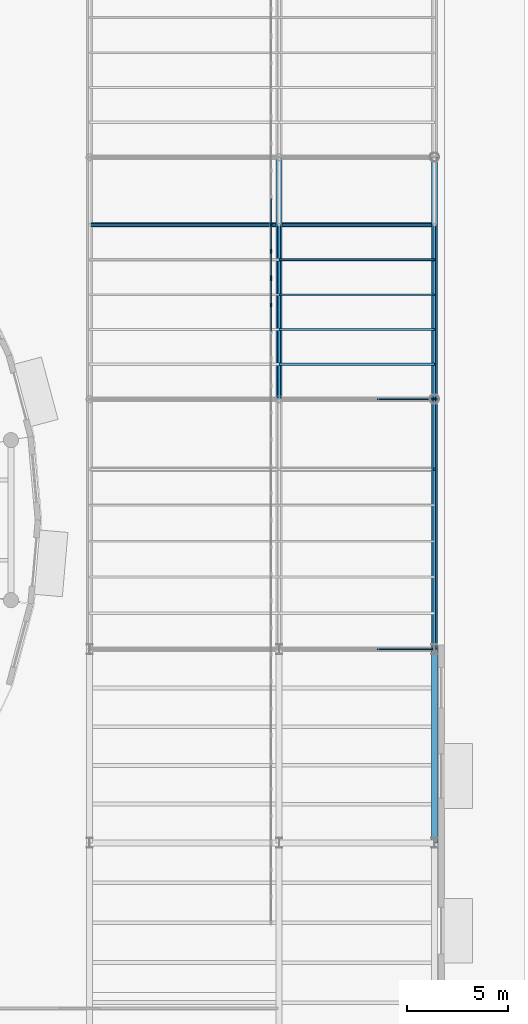
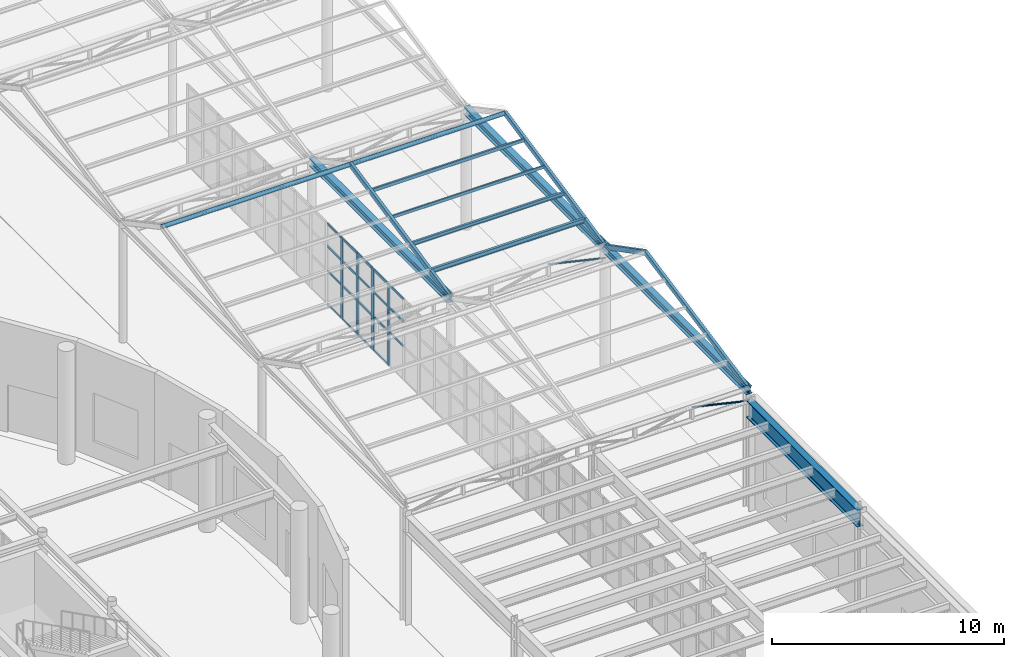
# One storey, part 43 of 118: 35 members, 4 beams, 2 elements without a shape of their own.
"""IFC4 building model written with IfcOpenShell, lengths in metres."""

import ifcopenshell
import ifcopenshell.guid

model = None  # the IFC model being written
_history = None  # IfcOwnerHistory: only IFC2X3 demands one
_inside = {}  # id of a spatial element -> (the spatial element, [elements in it])
_under = {}  # id of a project, library or spatial element -> (it, [spatial elements below it])
_declared = {}  # id of a project -> (the project, [libraries it declares])
_typed = {}  # id of a type object -> (the type object, [elements of that type])
_made_of = {}  # id of a material, layer set ... -> (it, [elements and type objects made of it])


def new_model(schema):
    """Start an empty IFC model of exactly this schema.

    Asked for "IFC4X3", IfcOpenShell would pick the latest addendum, in which some entities
    have other attributes; the version numbers below select the first issue.
    IFC2X3 requires an IfcOwnerHistory on every rooted entity: one is made here for all.
    """
    global model, _history
    if schema == "IFC4X3":
        model = ifcopenshell.file(schema_version=(4, 3, 0, 0))
    else:
        model = ifcopenshell.file(schema=schema)
    _inside.clear()
    _under.clear()
    _declared.clear()
    _typed.clear()
    _made_of.clear()
    _history = None
    if model.schema == "IFC2X3":
        org = make("IfcOrganization", Name="unknown")
        user = make(
            "IfcPersonAndOrganization",
            ThePerson=make("IfcPerson", FamilyName="unknown"),
            TheOrganization=org,
        )
        app = make(
            "IfcApplication",
            ApplicationDeveloper=org,
            Version="unknown",
            ApplicationFullName="unknown",
            ApplicationIdentifier="unknown",
        )
        _history = make(
            "IfcOwnerHistory",
            OwningUser=user,
            OwningApplication=app,
            ChangeAction="ADDED",
            CreationDate=0,
        )
    return model


def make(cls, **values):
    """One entity of the class cls with the attributes given. An attribute that is None is left unset."""
    return model.create_entity(
        cls, **{name: value for name, value in values.items() if value is not None}
    )


def rooted(cls, **values):
    """An entity with a GlobalId (a new one), such as an element, a storey or a relation."""
    return make(cls, GlobalId=ifcopenshell.guid.new(), OwnerHistory=_history, **values)


def si_unit(unit_type, name, prefix=None):
    """IfcSIUnit, for example si_unit("LENGTHUNIT", "METRE", prefix="MILLI")."""
    return make("IfcSIUnit", UnitType=unit_type, Prefix=prefix, Name=name)


def assignment(units):
    """IfcUnitAssignment: the units of a project."""
    return None if units is None else make("IfcUnitAssignment", Units=units)


def point(xyz):
    """IfcCartesianPoint."""
    return None if xyz is None else make("IfcCartesianPoint", Coordinates=xyz)


def direction(xyz):
    """IfcDirection."""
    return None if xyz is None else make("IfcDirection", DirectionRatios=xyz)


def frame(location, z_axis=None, x_axis=None):
    """IfcAxis2Placement3D, a coordinate frame: its origin and axes. An axis left out is left unset."""
    return make(
        "IfcAxis2Placement3D",
        Location=point(location),
        Axis=direction(z_axis),
        RefDirection=direction(x_axis),
    )


def frame_2d(location, x_axis=None):
    """IfcAxis2Placement2D, a coordinate frame in the plane: its origin and x axis."""
    return make(
        "IfcAxis2Placement2D", Location=point(location), RefDirection=direction(x_axis)
    )


def origin():
    """The frame at (0, 0, 0) with its axes left unset."""
    return frame((0.0, 0.0, 0.0))


def origin_2d():
    """The frame at (0, 0) in the plane with its x axis left unset."""
    return frame_2d((0.0, 0.0))


def place(relative_to, where):
    """IfcLocalPlacement: puts the frame where relative to a parent placement (None: the world)."""
    return make(
        "IfcLocalPlacement", PlacementRelTo=relative_to, RelativePlacement=where
    )


def context(
    kind, dimensions, precision=None, world=None, true_north=None, identifier=None
):
    """IfcGeometricRepresentationContext, for example the 3D "Model" context."""
    return make(
        "IfcGeometricRepresentationContext",
        ContextIdentifier=identifier,
        ContextType=kind,
        CoordinateSpaceDimension=dimensions,
        Precision=precision,
        WorldCoordinateSystem=world,
        TrueNorth=true_north,
    )


def subcontext(parent, identifier, kind, view, scale=None):
    """IfcGeometricRepresentationSubContext, for example "Body" below "Model"."""
    return make(
        "IfcGeometricRepresentationSubContext",
        ContextIdentifier=identifier,
        ContextType=kind,
        ParentContext=parent,
        TargetScale=scale,
        TargetView=view,
    )


def project(units=None, contexts=None):
    """IfcProject with its units and contexts."""
    return rooted(
        "IfcProject",
        Name="project",
        RepresentationContexts=contexts,
        UnitsInContext=assignment(units),
    )


def spatial(cls, under=None, at=None, **own):
    """A site, building, storey or space (cls), placed at a placement, below another one or the project."""
    s = rooted(cls, ObjectPlacement=at, **own)
    if under is not None:
        _under.setdefault(under.id(), (under, []))[1].append(s)
    return s


def profile(cls, at=None, kind="AREA", **sizes):
    """A parametric profile (cls). Its sizes go by their IFC names, for example OverallWidth=200.0."""
    return make(cls, ProfileType=kind, Position=at, **sizes)


def rectangle(**sizes):
    """IfcRectangleProfileDef."""
    return profile("IfcRectangleProfileDef", **sizes)


def hollow_rectangle(**sizes):
    """IfcRectangleHollowProfileDef."""
    return profile("IfcRectangleHollowProfileDef", **sizes)


def hollow_circle(**sizes):
    """IfcCircleHollowProfileDef."""
    return profile("IfcCircleHollowProfileDef", **sizes)


def i_section(**sizes):
    """IfcIShapeProfileDef."""
    return profile("IfcIShapeProfileDef", **sizes)


def extrude(swept, where, along, depth):
    """IfcExtrudedAreaSolid: the profile swept, set in the frame where, extruded along a direction by depth."""
    return make(
        "IfcExtrudedAreaSolid",
        SweptArea=swept,
        Position=where,
        ExtrudedDirection=direction(along),
        Depth=depth,
    )


def shape(context_of_items, identifier, shape_type, items):
    """IfcShapeRepresentation: the items that make up one representation, for example the "Body"."""
    return make(
        "IfcShapeRepresentation",
        ContextOfItems=context_of_items,
        RepresentationIdentifier=identifier,
        RepresentationType=shape_type,
        Items=items,
    )


def material(Name=None, Category=None):
    """IfcMaterial."""
    return make("IfcMaterial", Name=Name, Category=Category)


def material_profile(
    of_material, cross_section, Name=None, Category=None, Priority=None
):
    """IfcMaterialProfile: a cross section and its material."""
    return make(
        "IfcMaterialProfile",
        Name=Name,
        Material=of_material,
        Profile=cross_section,
        Priority=Priority,
        Category=Category,
    )


def profile_set(profiles, Name=None, composite=None):
    """IfcMaterialProfileSet."""
    return make(
        "IfcMaterialProfileSet",
        Name=Name,
        MaterialProfiles=profiles,
        CompositeProfile=composite,
    )


def made_of(thing, what):
    """Note that an element or type object is made of a material, layer set ...; save() writes the relation."""
    if what is not None:
        _made_of.setdefault(what.id(), (what, []))[1].append(thing)
    return thing


def type_object(cls, material=None, **own):
    """A type object (cls), such as IfcWallType, which elements share."""
    return made_of(rooted(cls, **own), material)


def element(
    cls,
    number,
    at=None,
    inside=None,
    cuts=None,
    type_object=None,
    material=None,
    context=None,
    identifier="Body",
    shape_type=None,
    held_by="IfcProductDefinitionShape",
    body=None,
    shapes=None,
    **own,
):
    """One element of the class cls, such as IfcWall. Its Tag is "e" and its number.

    at: its placement. inside: the storey or other place that contains it. cuts: it is an
    opening in that element (IfcRelVoidsElement). A single representation is given by context,
    identifier, shape_type and body (its items); several are given by shapes. held_by: the class
    of the entity that holds the representations. save() writes the other relations.
    """
    e = rooted(cls, Tag="e%d" % number, ObjectPlacement=at, **own)
    if body is not None:
        shapes = [shape(context, identifier, shape_type, body)]
    if shapes is not None:
        e.Representation = make(held_by, Representations=shapes)
    if inside is not None:
        _inside.setdefault(inside.id(), (inside, []))[1].append(e)
    if cuts is not None:
        rooted(
            "IfcRelVoidsElement", RelatingBuildingElement=cuts, RelatedOpeningElement=e
        )
    if type_object is not None:
        _typed.setdefault(type_object.id(), (type_object, []))[1].append(e)
    return made_of(e, material)


def aggregate(whole, parts):
    """IfcRelAggregates: a whole, such as a stair, and the parts it consists of."""
    return rooted("IfcRelAggregates", RelatingObject=whole, RelatedObjects=parts)


def save(model, path):
    """Write the relations noted so far, then the file.

    IfcRelAggregates (storeys below a building ...), IfcRelContainedInSpatialStructure (elements
    in a storey), IfcRelDefinesByType, IfcRelAssociatesMaterial and IfcRelDeclares: one each for
    every whole, place, type object, material and project.
    """
    for whole, parts in _under.values():
        aggregate(whole, parts)
    for where, things in _inside.values():
        rooted(
            "IfcRelContainedInSpatialStructure",
            RelatedElements=things,
            RelatingStructure=where,
        )
    for kind, things in _typed.values():
        rooted("IfcRelDefinesByType", RelatedObjects=things, RelatingType=kind)
    for what, things in _made_of.values():
        rooted("IfcRelAssociatesMaterial", RelatedObjects=things, RelatingMaterial=what)
    for by, libraries in _declared.values():
        rooted("IfcRelDeclares", RelatingContext=by, RelatedDefinitions=libraries)
    model.write(path)


model = new_model("IFC4")

# Units and contexts
model_context = context("Model", 3, precision=1e-05, world=origin(), true_north=direction((0.0, 1.0)))
body_context = subcontext(model_context, "Body", "Model", "MODEL_VIEW")
ifc_project = project(units=[si_unit("LENGTHUNIT", "METRE"), si_unit("AREAUNIT", "SQUARE_METRE"), si_unit("VOLUMEUNIT", "CUBIC_METRE"), si_unit("PLANEANGLEUNIT", "RADIAN"), si_unit("MASSUNIT", "GRAM", prefix="KILO")], contexts=[model_context])

# Site, building, storey
site_placement = place(None, origin())
site = spatial("IfcSite", under=ifc_project, at=site_placement, CompositionType="ELEMENT")
building_placement = place(site_placement, origin())
building = spatial("IfcBuilding", under=site, at=building_placement, Name="Kolvaren Corner Interchange", CompositionType="ELEMENT")
storey_placement = place(building_placement, origin())
storey = spatial("IfcBuildingStorey", under=building, at=storey_placement, Name="L01", CompositionType="ELEMENT", Elevation=0.0)

# Beams
ifc_material_1 = material(Name="Steel S355", Category="steel")
ifc_material_profile_1 = material_profile(ifc_material_1, i_section(OverallWidth=0.300048828125, OverallDepth=0.389892578125, WebThickness=0.010986328125, FlangeThickness=0.01904296875, FilletRadius=0.027099609375, at=origin_2d()), Name="HEA 400")
ifc_profile_set_1 = profile_set([ifc_material_profile_1], Name="Steel S355")
beam_type_1 = type_object("IfcBeamType", Name="BM-HEA400", PredefinedType="BEAM", material=ifc_profile_set_1)
beam_1_placement = place(storey_placement, frame((155.800048828125, 54.0, 6.199951171875), z_axis=(0.0, 1.0, 0.0), x_axis=(-1.0, 0.0, 0.0)))
element("IfcBeam", 1, at=beam_1_placement, inside=storey, type_object=beam_type_1, Name="Bus Canopy Eaves Girder 014", PredefinedType="BEAM", context=body_context, shape_type="SweptSolid", body=[
    extrude(i_section(OverallWidth=0.300048828125, OverallDepth=0.389892578125, WebThickness=0.010986328125, FlangeThickness=0.01904296875, FilletRadius=0.027099609375, at=origin_2d()), origin(), (0.0, 0.0, 1.0), 12.0),
])
beam_2_placement = place(storey_placement, frame((163.5, 41.60009765625, 6.199951171875), z_axis=(0.0, 1.0, 0.0), x_axis=(-1.0, 0.0, 0.0)))
element("IfcBeam", 2, at=beam_2_placement, inside=storey, type_object=beam_type_1, Name="Bus Canopy Eaves Girder 019", PredefinedType="BEAM", context=body_context, shape_type="SweptSolid", body=[
    extrude(i_section(OverallWidth=0.300048828125, OverallDepth=0.389892578125, WebThickness=0.010986328125, FlangeThickness=0.01904296875, FilletRadius=0.027099609375, at=origin_2d()), origin(), (0.0, 0.0, 1.0), 12.39990234375),
])
beam_3_placement = place(storey_placement, frame((163.5, 54.0, 6.199951171875), z_axis=(0.0, 1.0, 0.0), x_axis=(-1.0, 0.0, 0.0)))
element("IfcBeam", 3, at=beam_3_placement, inside=storey, type_object=beam_type_1, Name="Bus Canopy Eaves Girder 020", PredefinedType="BEAM", context=body_context, shape_type="SweptSolid", body=[
    extrude(i_section(OverallWidth=0.300048828125, OverallDepth=0.389892578125, WebThickness=0.010986328125, FlangeThickness=0.01904296875, FilletRadius=0.027099609375, at=origin_2d()), origin(), (0.0, 0.0, 1.0), 12.0),
])
ifc_material_2 = material(Name="Steel S355", Category="steel")
ifc_material_profile_2 = material_profile(ifc_material_2, i_section(OverallWidth=0.300048828125, OverallDepth=0.89990234375, WebThickness=0.0185546875, FlangeThickness=0.034912109375, FilletRadius=0.030029296875, at=origin_2d()), Name="HEB 900")
ifc_profile_set_2 = profile_set([ifc_material_profile_2], Name="Steel S355")
beam_type_2 = type_object("IfcBeamType", Name="BM-HEB900", PredefinedType="BEAM", material=ifc_profile_set_2)
beam_4_placement = place(storey_placement, frame((163.5, 32.0, 5.2900390625), z_axis=(0.0, 1.0, 0.0), x_axis=(-1.0, 0.0, 0.0)))
element("IfcBeam", 4, at=beam_4_placement, inside=storey, type_object=beam_type_2, Name="Storey L01 Grid Y Primary Girder 0536", PredefinedType="BEAM", context=body_context, shape_type="SweptSolid", body=[
    extrude(i_section(OverallWidth=0.300048828125, OverallDepth=0.89990234375, WebThickness=0.0185546875, FlangeThickness=0.034912109375, FilletRadius=0.030029296875, at=origin_2d()), origin(), (0.0, 0.0, 1.0), 9.60009765625),
])

# Members
ifc_material_3 = material(Name="Steel S355", Category="steel")
ifc_material_profile_3 = material_profile(ifc_material_3, hollow_circle(Radius=0.04443359375, WallThickness=0.0048828125, at=origin_2d()), Name="CHS 88.9x5.0")
ifc_profile_set_3 = profile_set([ifc_material_profile_3], Name="Steel S355")
member_type_1 = type_object("IfcMemberType", Name="MEM-BR-CHS89", PredefinedType="BRACE", material=ifc_profile_set_3)
for number, where, z_axis, x_axis, name in (
    (5, (160.64990234375, 41.60009765625, 6.320068359375), (0.973451058965, 0.0, -0.228895250716), (0.0, 1.0, 0.0), "Bus Canopy Sawtooth Roof Truss 01 Web Diagonal 06"),
    (6, (160.64990234375, 54.0, 6.320068359375), (0.973451058965, 0.0, -0.228895250716), (0.0, 1.0, 0.0), "Bus Canopy Sawtooth Roof Truss 02 Web Diagonal 06"),
):
    element("IfcMember", number, at=place(storey_placement, frame(where, z_axis=z_axis, x_axis=x_axis)), inside=storey, type_object=member_type_1, Name=name, PredefinedType="BRACE", context=body_context, shape_type="SweptSolid", body=[
        extrude(hollow_circle(Radius=0.04443359375, WallThickness=0.0048828125, at=origin_2d()), origin(), (0.0, 0.0, 1.0), 2.927734375),
    ])
ifc_material_4 = material(Name="Steel S355", Category="steel")
ifc_material_profile_4 = material_profile(ifc_material_4, hollow_circle(Radius=0.109619140625, WallThickness=0.010009765625, at=origin_2d()), Name="CHS 219.1x10.0")
ifc_profile_set_4 = profile_set([ifc_material_profile_4], Name="Steel S355")
member_type_2 = type_object("IfcMemberType", Name="MEM-CH-CHS219", PredefinedType="CHORD", material=ifc_profile_set_4)
member_1_placement = place(storey_placement, frame((146.39990234375, 62.639892578125, 8.050048828125), z_axis=(1.0, 0.0, 0.0), x_axis=(0.0, 1.0, 0.0)))
element("IfcMember", 7, at=member_1_placement, inside=storey, type_object=member_type_2, Name="Bus Canopy Sawtooth Roof Truss Ridge Chord 02", PredefinedType="CHORD", context=body_context, shape_type="SweptSolid", body=[
    extrude(hollow_circle(Radius=0.109619140625, WallThickness=0.010009765625, at=origin_2d()), origin(), (0.0, 0.0, 1.0), 17.10009765625),
])
ifc_material_5 = material(Name="Steel S355", Category="steel")
ifc_material_profile_5 = material_profile(ifc_material_5, i_section(OverallWidth=0.10009765625, OverallDepth=0.199951171875, WebThickness=0.005615234375, FlangeThickness=0.008544921875, FilletRadius=0.011962890625, at=origin_2d()), Name="IPE 200")
ifc_profile_set_5 = profile_set([ifc_material_profile_5], Name="Steel S355")
member_type_3 = type_object("IfcMemberType", Name="MEM-PR-IPE200", PredefinedType="PURLIN", material=ifc_profile_set_5)
member_2_placement = place(storey_placement, frame((155.800048828125, 57.4560546875, 6.97998046875), z_axis=(1.0, 0.0, 0.0), x_axis=(0.0, 1.0, 0.0)))
element("IfcMember", 8, at=member_2_placement, inside=storey, type_object=member_type_3, Name="Bus Canopy Sawtooth Purlin 02 Row 2 Bay 155", PredefinedType="PURLIN", context=body_context, shape_type="SweptSolid", body=[
    extrude(i_section(OverallWidth=0.10009765625, OverallDepth=0.199951171875, WebThickness=0.005615234375, FlangeThickness=0.008544921875, FilletRadius=0.011962890625, at=origin_2d()), origin(), (0.0, 0.0, 1.0), 7.699951171875),
])
ifc_material_6 = material(Name="Steel S355", Category="steel")
ifc_material_profile_6 = material_profile(ifc_material_6, i_section(OverallWidth=0.1201171875, OverallDepth=0.239990234375, WebThickness=0.006103515625, FlangeThickness=0.009765625, FilletRadius=0.014892578125, at=origin_2d()), Name="IPE 240")
ifc_profile_set_6 = profile_set([ifc_material_profile_6], Name="Steel S355")
member_type_4 = type_object("IfcMemberType", Name="MEM-PR-IPE240", PredefinedType="PURLIN", material=ifc_profile_set_6)
member_3_placement = place(storey_placement, frame((155.800048828125, 55.72802734375, 6.6201171875), z_axis=(1.0, 0.0, 0.0), x_axis=(0.0, 1.0, 0.0)))
element("IfcMember", 9, at=member_3_placement, inside=storey, type_object=member_type_4, Name="Bus Canopy Sawtooth Purlin 02 Row 1 Bay 155", PredefinedType="PURLIN", context=body_context, shape_type="SweptSolid", body=[
    extrude(i_section(OverallWidth=0.1201171875, OverallDepth=0.239990234375, WebThickness=0.006103515625, FlangeThickness=0.009765625, FilletRadius=0.014892578125, at=origin_2d()), origin(), (0.0, 0.0, 1.0), 7.699951171875),
])
ifc_material_7 = material(Name="Steel S355", Category="steel")
ifc_material_profile_7 = material_profile(ifc_material_7, hollow_rectangle(XDim=0.080078125, YDim=0.159912109375, WallThickness=0.00634765625, InnerFilletRadius=0.00634765625, OuterFilletRadius=0.0126953125, at=origin_2d()), Name="RHS 160x80x6.3")
ifc_profile_set_7 = profile_set([ifc_material_profile_7], Name="Steel S355")
member_type_5 = type_object("IfcMemberType", Name="MEM-PR-RHS160", PredefinedType="PURLIN", material=ifc_profile_set_7)
member_4_placement = place(storey_placement, frame((155.800048828125, 59.18408203125, 7.340087890625), z_axis=(1.0, 0.0, 0.0), x_axis=(0.0, 1.0, 0.0)))
element("IfcMember", 10, at=member_4_placement, inside=storey, type_object=member_type_5, Name="Bus Canopy Sawtooth Purlin 02 Row 3 Bay 155", PredefinedType="PURLIN", context=body_context, shape_type="SweptSolid", body=[
    extrude(hollow_rectangle(XDim=0.080078125, YDim=0.159912109375, WallThickness=0.00634765625, InnerFilletRadius=0.00634765625, OuterFilletRadius=0.0126953125, at=origin_2d()), origin(), (0.0, 0.0, 1.0), 7.699951171875),
])
ifc_material_8 = material(Name="Steel S355", Category="steel")
ifc_material_profile_8 = material_profile(ifc_material_8, hollow_rectangle(XDim=0.10009765625, YDim=0.179931640625, WallThickness=0.008056640625, InnerFilletRadius=0.008056640625, OuterFilletRadius=0.01611328125, at=origin_2d()), Name="RHS 180x100x8.0")
ifc_profile_set_8 = profile_set([ifc_material_profile_8], Name="Steel S355")
member_type_6 = type_object("IfcMemberType", Name="MEM-PR-RHS180", PredefinedType="PURLIN", material=ifc_profile_set_8)
member_5_placement = place(storey_placement, frame((155.800048828125, 60.912109375, 7.699951171875), z_axis=(1.0, 0.0, 0.0), x_axis=(0.0, 1.0, 0.0)))
element("IfcMember", 11, at=member_5_placement, inside=storey, type_object=member_type_6, Name="Bus Canopy Sawtooth Purlin 02 Row 4 Bay 155", PredefinedType="PURLIN", context=body_context, shape_type="SweptSolid", body=[
    extrude(hollow_rectangle(XDim=0.10009765625, YDim=0.179931640625, WallThickness=0.008056640625, InnerFilletRadius=0.008056640625, OuterFilletRadius=0.01611328125, at=origin_2d()), origin(), (0.0, 0.0, 1.0), 7.699951171875),
])
ifc_material_9 = material(Name="Steel S355", Category="steel")
ifc_material_profile_9 = material_profile(ifc_material_9, hollow_rectangle(XDim=0.14990234375, YDim=0.25, WallThickness=0.010009765625, InnerFilletRadius=0.010009765625, OuterFilletRadius=0.02001953125, at=origin_2d()), Name="RHS 250x150x10.0")
ifc_profile_set_9 = profile_set([ifc_material_profile_9], Name="Steel S355")
member_type_7 = type_object("IfcMemberType", Name="MEM-RF-RHS250", PredefinedType="RAFTER", material=ifc_profile_set_9)
member_6_placement = place(storey_placement, frame((163.5, 41.60009765625, 6.25), z_axis=(0.0, 0.980274310693, 0.197641786561), x_axis=(-1.0, 0.0, 0.0)))
element("IfcMember", 12, at=member_6_placement, inside=storey, type_object=member_type_7, Name="Bus Canopy Sawtooth South Rafter 01 Line 3", PredefinedType="RAFTER", context=body_context, shape_type="SweptSolid", body=[
    extrude(hollow_rectangle(XDim=0.14990234375, YDim=0.25, WallThickness=0.010009765625, InnerFilletRadius=0.010009765625, OuterFilletRadius=0.02001953125, at=origin_2d()), origin(), (0.0, 0.0, 1.0), 9.107666015625),
])
member_7_placement = place(storey_placement, frame((163.5, 50.528076171875, 8.050048828125), z_axis=(0.0, 0.887776261851, -0.460275253402), x_axis=(-1.0, 0.0, 0.0)))
element("IfcMember", 13, at=member_7_placement, inside=storey, type_object=member_type_7, Name="Bus Canopy Sawtooth North Rafter 01 Line 3", PredefinedType="RAFTER", context=body_context, shape_type="SweptSolid", body=[
    extrude(hollow_rectangle(XDim=0.14990234375, YDim=0.25, WallThickness=0.010009765625, InnerFilletRadius=0.010009765625, OuterFilletRadius=0.02001953125, at=origin_2d()), origin(), (0.0, 0.0, 1.0), 3.910888671875),
])
for number, where, z_axis, x_axis, name in (
    (14, (155.800048828125, 54.0, 6.25), (0.0, 0.978978808696, 0.20396198696), (-1.0, 0.0, 0.0), "Bus Canopy Sawtooth South Rafter 02 Line 2"),
    (15, (163.5, 54.0, 6.25), (0.0, 0.978978808696, 0.20396198696), (-1.0, 0.0, 0.0), "Bus Canopy Sawtooth South Rafter 02 Line 3"),
):
    element("IfcMember", number, at=place(storey_placement, frame(where, z_axis=z_axis, x_axis=x_axis)), inside=storey, type_object=member_type_7, Name=name, PredefinedType="RAFTER", context=body_context, shape_type="SweptSolid", body=[
        extrude(hollow_rectangle(XDim=0.14990234375, YDim=0.25, WallThickness=0.010009765625, InnerFilletRadius=0.010009765625, OuterFilletRadius=0.02001953125, at=origin_2d()), origin(), (0.0, 0.0, 1.0), 8.825439453125),
    ])

# Curtain wall, members
ifc_material_10 = material(Name="Unitised Aluminium and Solar-Control Glass Curtain Wall", Category="aluminium")
curtain_wall_type = type_object("IfcCurtainWallType", Name="CW-V4-BOARD", PredefinedType="NOTDEFINED", material=ifc_material_10)
curtain_wall_1_placement = place(storey_placement, origin())
curtain_wall_1 = element("IfcCurtainWall", 16, at=curtain_wall_1_placement, inside=storey, type_object=curtain_wall_type, Name="Bus Island East Boarding Curtain Wall Bay 08", PredefinedType="NOTDEFINED")
ifc_material_11 = material(Name="Anodised Aluminium Framing", Category="aluminium")
ifc_material_profile_10 = material_profile(ifc_material_11, rectangle(XDim=0.06005859375, YDim=0.179931640625, at=origin_2d()), Name="ALU 60x180")
ifc_profile_set_10 = profile_set([ifc_material_profile_10], Name="Anodised Aluminium Framing")
member_type_8 = type_object("IfcMemberType", Name="MUL-ALU60x180", PredefinedType="MULLION", material=ifc_profile_set_10)
member_8_placement = place(storey_placement, frame((155.39990234375, 58.666748046875, 0.0), z_axis=(0.0, 0.0, 1.0), x_axis=(-1.0, 0.0, 0.0)))
member_8 = element("IfcMember", 17, at=member_8_placement, type_object=member_type_8, Name="CW-145 mullion 3", PredefinedType="MULLION", context=body_context, shape_type="SweptSolid", body=[
    extrude(rectangle(XDim=0.06005859375, YDim=0.179931640625, at=origin_2d()), origin(), (0.0, 0.0, 1.0), 4.300048828125),
])
member_9_placement = place(storey_placement, frame((155.39990234375, 59.969970703125, 0.0), z_axis=(0.0, 0.0, 1.0), x_axis=(-1.0, 0.0, 0.0)))
member_9 = element("IfcMember", 18, at=member_9_placement, type_object=member_type_8, Name="CW-145 mullion 4", PredefinedType="MULLION", context=body_context, shape_type="SweptSolid", body=[
    extrude(rectangle(XDim=0.06005859375, YDim=0.179931640625, at=origin_2d()), origin(), (0.0, 0.0, 1.0), 4.300048828125),
])

curtain_wall_2_placement = place(storey_placement, origin())
curtain_wall_2 = element("IfcCurtainWall", 19, at=curtain_wall_2_placement, inside=storey, type_object=curtain_wall_type, Name="Bus Island East Boarding Curtain Wall Bay 09", PredefinedType="NOTDEFINED")
member_10_placement = place(storey_placement, frame((155.39990234375, 60.030029296875, 0.0), z_axis=(0.0, 0.0, 1.0), x_axis=(-1.0, 0.0, 0.0)))
member_10 = element("IfcMember", 20, at=member_10_placement, type_object=member_type_8, Name="CW-146 mullion 1", PredefinedType="MULLION", context=body_context, shape_type="SweptSolid", body=[
    extrude(rectangle(XDim=0.06005859375, YDim=0.179931640625, at=origin_2d()), origin(), (0.0, 0.0, 1.0), 4.300048828125),
])
member_11_placement = place(storey_placement, frame((155.39990234375, 61.333251953125, 0.0), z_axis=(0.0, 0.0, 1.0), x_axis=(-1.0, 0.0, 0.0)))
member_11 = element("IfcMember", 21, at=member_11_placement, type_object=member_type_8, Name="CW-146 mullion 2", PredefinedType="MULLION", context=body_context, shape_type="SweptSolid", body=[
    extrude(rectangle(XDim=0.06005859375, YDim=0.179931640625, at=origin_2d()), origin(), (0.0, 0.0, 1.0), 4.300048828125),
])
member_12_placement = place(storey_placement, frame((155.39990234375, 62.666748046875, 0.0), z_axis=(0.0, 0.0, 1.0), x_axis=(-1.0, 0.0, 0.0)))
member_12 = element("IfcMember", 22, at=member_12_placement, type_object=member_type_8, Name="CW-146 mullion 3", PredefinedType="MULLION", context=body_context, shape_type="SweptSolid", body=[
    extrude(rectangle(XDim=0.06005859375, YDim=0.179931640625, at=origin_2d()), origin(), (0.0, 0.0, 1.0), 4.300048828125),
])

# Member
ifc_material_12 = material(Name="Anodised Aluminium Framing", Category="aluminium")
ifc_material_profile_11 = material_profile(ifc_material_12, rectangle(XDim=0.054931640625, YDim=0.1201171875, at=origin_2d()), Name="ALU 55x120")
ifc_profile_set_11 = profile_set([ifc_material_profile_11], Name="Anodised Aluminium Framing")
member_type_9 = type_object("IfcMemberType", Name="TRN-ALU55x120", PredefinedType="USERDEFINED", material=ifc_profile_set_11)
member_13_placement = place(storey_placement, frame((155.39990234375, 57.36328125, 1.800048828125), z_axis=(0.0, 1.0, 0.0), x_axis=(-1.0, 0.0, 0.0)))
member_13 = element("IfcMember", 23, at=member_13_placement, type_object=member_type_9, Name="CW-145 transom 2.2", ObjectType="TRANSOM", PredefinedType="USERDEFINED", context=body_context, shape_type="SweptSolid", body=[
    extrude(rectangle(XDim=0.054931640625, YDim=0.1201171875, at=origin_2d()), origin(), (0.0, 0.0, 1.0), 1.2734375),
])

member_14_placement = place(storey_placement, frame((155.39990234375, 57.36328125, 3.10009765625), z_axis=(0.0, 1.0, 0.0), x_axis=(-1.0, 0.0, 0.0)))
member_14 = element("IfcMember", 24, at=member_14_placement, type_object=member_type_9, Name="CW-145 transom 2.3", ObjectType="TRANSOM", PredefinedType="USERDEFINED", context=body_context, shape_type="SweptSolid", body=[
    extrude(rectangle(XDim=0.054931640625, YDim=0.1201171875, at=origin_2d()), origin(), (0.0, 0.0, 1.0), 1.2734375),
])

member_15_placement = place(storey_placement, frame((155.39990234375, 57.36328125, 4.2724609375), z_axis=(0.0, 1.0, 0.0), x_axis=(-1.0, 0.0, 0.0)))
member_15 = element("IfcMember", 25, at=member_15_placement, type_object=member_type_9, Name="CW-145 transom 2.4", ObjectType="TRANSOM", PredefinedType="USERDEFINED", context=body_context, shape_type="SweptSolid", body=[
    extrude(rectangle(XDim=0.054931640625, YDim=0.1201171875, at=origin_2d()), origin(), (0.0, 0.0, 1.0), 1.2734375),
])

member_16_placement = place(storey_placement, frame((155.39990234375, 58.69677734375, 0.027587890625), z_axis=(0.0, 1.0, 0.0), x_axis=(-1.0, 0.0, 0.0)))
member_16 = element("IfcMember", 26, at=member_16_placement, type_object=member_type_9, Name="CW-145 transom 3.1", ObjectType="TRANSOM", PredefinedType="USERDEFINED", context=body_context, shape_type="SweptSolid", body=[
    extrude(rectangle(XDim=0.054931640625, YDim=0.1201171875, at=origin_2d()), origin(), (0.0, 0.0, 1.0), 1.2431640625),
])

member_17_placement = place(storey_placement, frame((155.39990234375, 58.69677734375, 1.800048828125), z_axis=(0.0, 1.0, 0.0), x_axis=(-1.0, 0.0, 0.0)))
member_17 = element("IfcMember", 27, at=member_17_placement, type_object=member_type_9, Name="CW-145 transom 3.2", ObjectType="TRANSOM", PredefinedType="USERDEFINED", context=body_context, shape_type="SweptSolid", body=[
    extrude(rectangle(XDim=0.054931640625, YDim=0.1201171875, at=origin_2d()), origin(), (0.0, 0.0, 1.0), 1.2431640625),
])

member_18_placement = place(storey_placement, frame((155.39990234375, 58.69677734375, 3.10009765625), z_axis=(0.0, 1.0, 0.0), x_axis=(-1.0, 0.0, 0.0)))
member_18 = element("IfcMember", 28, at=member_18_placement, type_object=member_type_9, Name="CW-145 transom 3.3", ObjectType="TRANSOM", PredefinedType="USERDEFINED", context=body_context, shape_type="SweptSolid", body=[
    extrude(rectangle(XDim=0.054931640625, YDim=0.1201171875, at=origin_2d()), origin(), (0.0, 0.0, 1.0), 1.2431640625),
])

member_19_placement = place(storey_placement, frame((155.39990234375, 58.69677734375, 4.2724609375), z_axis=(0.0, 1.0, 0.0), x_axis=(-1.0, 0.0, 0.0)))
member_19 = element("IfcMember", 29, at=member_19_placement, type_object=member_type_9, Name="CW-145 transom 3.4", ObjectType="TRANSOM", PredefinedType="USERDEFINED", context=body_context, shape_type="SweptSolid", body=[
    extrude(rectangle(XDim=0.054931640625, YDim=0.1201171875, at=origin_2d()), origin(), (0.0, 0.0, 1.0), 1.2431640625),
])

aggregate(curtain_wall_1, [member_8, member_9, member_13, member_14, member_15, member_16, member_17, member_18, member_19])

member_20_placement = place(storey_placement, frame((155.39990234375, 60.06005859375, 0.027587890625), z_axis=(0.0, 1.0, 0.0), x_axis=(-1.0, 0.0, 0.0)))
member_20 = element("IfcMember", 30, at=member_20_placement, type_object=member_type_9, Name="CW-146 transom 1.1", ObjectType="TRANSOM", PredefinedType="USERDEFINED", context=body_context, shape_type="SweptSolid", body=[
    extrude(rectangle(XDim=0.054931640625, YDim=0.1201171875, at=origin_2d()), origin(), (0.0, 0.0, 1.0), 1.2431640625),
])

member_21_placement = place(storey_placement, frame((155.39990234375, 60.06005859375, 1.800048828125), z_axis=(0.0, 1.0, 0.0), x_axis=(-1.0, 0.0, 0.0)))
member_21 = element("IfcMember", 31, at=member_21_placement, type_object=member_type_9, Name="CW-146 transom 1.2", ObjectType="TRANSOM", PredefinedType="USERDEFINED", context=body_context, shape_type="SweptSolid", body=[
    extrude(rectangle(XDim=0.054931640625, YDim=0.1201171875, at=origin_2d()), origin(), (0.0, 0.0, 1.0), 1.2431640625),
])

member_22_placement = place(storey_placement, frame((155.39990234375, 60.06005859375, 3.10009765625), z_axis=(0.0, 1.0, 0.0), x_axis=(-1.0, 0.0, 0.0)))
member_22 = element("IfcMember", 32, at=member_22_placement, type_object=member_type_9, Name="CW-146 transom 1.3", ObjectType="TRANSOM", PredefinedType="USERDEFINED", context=body_context, shape_type="SweptSolid", body=[
    extrude(rectangle(XDim=0.054931640625, YDim=0.1201171875, at=origin_2d()), origin(), (0.0, 0.0, 1.0), 1.2431640625),
])

member_23_placement = place(storey_placement, frame((155.39990234375, 60.06005859375, 4.2724609375), z_axis=(0.0, 1.0, 0.0), x_axis=(-1.0, 0.0, 0.0)))
member_23 = element("IfcMember", 33, at=member_23_placement, type_object=member_type_9, Name="CW-146 transom 1.4", ObjectType="TRANSOM", PredefinedType="USERDEFINED", context=body_context, shape_type="SweptSolid", body=[
    extrude(rectangle(XDim=0.054931640625, YDim=0.1201171875, at=origin_2d()), origin(), (0.0, 0.0, 1.0), 1.2431640625),
])

member_24_placement = place(storey_placement, frame((155.39990234375, 61.36328125, 0.027587890625), z_axis=(0.0, 1.0, 0.0), x_axis=(-1.0, 0.0, 0.0)))
member_24 = element("IfcMember", 34, at=member_24_placement, type_object=member_type_9, Name="CW-146 transom 2.1", ObjectType="TRANSOM", PredefinedType="USERDEFINED", context=body_context, shape_type="SweptSolid", body=[
    extrude(rectangle(XDim=0.054931640625, YDim=0.1201171875, at=origin_2d()), origin(), (0.0, 0.0, 1.0), 1.2734375),
])

member_25_placement = place(storey_placement, frame((155.39990234375, 61.36328125, 1.800048828125), z_axis=(0.0, 1.0, 0.0), x_axis=(-1.0, 0.0, 0.0)))
member_25 = element("IfcMember", 35, at=member_25_placement, type_object=member_type_9, Name="CW-146 transom 2.2", ObjectType="TRANSOM", PredefinedType="USERDEFINED", context=body_context, shape_type="SweptSolid", body=[
    extrude(rectangle(XDim=0.054931640625, YDim=0.1201171875, at=origin_2d()), origin(), (0.0, 0.0, 1.0), 1.2734375),
])

member_26_placement = place(storey_placement, frame((155.39990234375, 61.36328125, 3.10009765625), z_axis=(0.0, 1.0, 0.0), x_axis=(-1.0, 0.0, 0.0)))
member_26 = element("IfcMember", 36, at=member_26_placement, type_object=member_type_9, Name="CW-146 transom 2.3", ObjectType="TRANSOM", PredefinedType="USERDEFINED", context=body_context, shape_type="SweptSolid", body=[
    extrude(rectangle(XDim=0.054931640625, YDim=0.1201171875, at=origin_2d()), origin(), (0.0, 0.0, 1.0), 1.2734375),
])

member_27_placement = place(storey_placement, frame((155.39990234375, 61.36328125, 4.2724609375), z_axis=(0.0, 1.0, 0.0), x_axis=(-1.0, 0.0, 0.0)))
member_27 = element("IfcMember", 37, at=member_27_placement, type_object=member_type_9, Name="CW-146 transom 2.4", ObjectType="TRANSOM", PredefinedType="USERDEFINED", context=body_context, shape_type="SweptSolid", body=[
    extrude(rectangle(XDim=0.054931640625, YDim=0.1201171875, at=origin_2d()), origin(), (0.0, 0.0, 1.0), 1.2734375),
])

member_28_placement = place(storey_placement, frame((155.39990234375, 62.69677734375, 0.027587890625), z_axis=(0.0, 1.0, 0.0), x_axis=(-1.0, 0.0, 0.0)))
member_28 = element("IfcMember", 38, at=member_28_placement, type_object=member_type_9, Name="CW-146 transom 3.1", ObjectType="TRANSOM", PredefinedType="USERDEFINED", context=body_context, shape_type="SweptSolid", body=[
    extrude(rectangle(XDim=0.054931640625, YDim=0.1201171875, at=origin_2d()), origin(), (0.0, 0.0, 1.0), 1.2431640625),
])

member_29_placement = place(storey_placement, frame((155.39990234375, 62.69677734375, 1.800048828125), z_axis=(0.0, 1.0, 0.0), x_axis=(-1.0, 0.0, 0.0)))
member_29 = element("IfcMember", 39, at=member_29_placement, type_object=member_type_9, Name="CW-146 transom 3.2", ObjectType="TRANSOM", PredefinedType="USERDEFINED", context=body_context, shape_type="SweptSolid", body=[
    extrude(rectangle(XDim=0.054931640625, YDim=0.1201171875, at=origin_2d()), origin(), (0.0, 0.0, 1.0), 1.2431640625),
])

member_30_placement = place(storey_placement, frame((155.39990234375, 62.69677734375, 3.10009765625), z_axis=(0.0, 1.0, 0.0), x_axis=(-1.0, 0.0, 0.0)))
member_30 = element("IfcMember", 40, at=member_30_placement, type_object=member_type_9, Name="CW-146 transom 3.3", ObjectType="TRANSOM", PredefinedType="USERDEFINED", context=body_context, shape_type="SweptSolid", body=[
    extrude(rectangle(XDim=0.054931640625, YDim=0.1201171875, at=origin_2d()), origin(), (0.0, 0.0, 1.0), 1.2431640625),
])

member_31_placement = place(storey_placement, frame((155.39990234375, 62.69677734375, 4.2724609375), z_axis=(0.0, 1.0, 0.0), x_axis=(-1.0, 0.0, 0.0)))
member_31 = element("IfcMember", 41, at=member_31_placement, type_object=member_type_9, Name="CW-146 transom 3.4", ObjectType="TRANSOM", PredefinedType="USERDEFINED", context=body_context, shape_type="SweptSolid", body=[
    extrude(rectangle(XDim=0.054931640625, YDim=0.1201171875, at=origin_2d()), origin(), (0.0, 0.0, 1.0), 1.2431640625),
])

aggregate(curtain_wall_2, [member_10, member_11, member_12, member_20, member_21, member_22, member_23, member_24, member_25, member_26, member_27, member_28, member_29, member_30, member_31])

save(model, "model.ifc")
